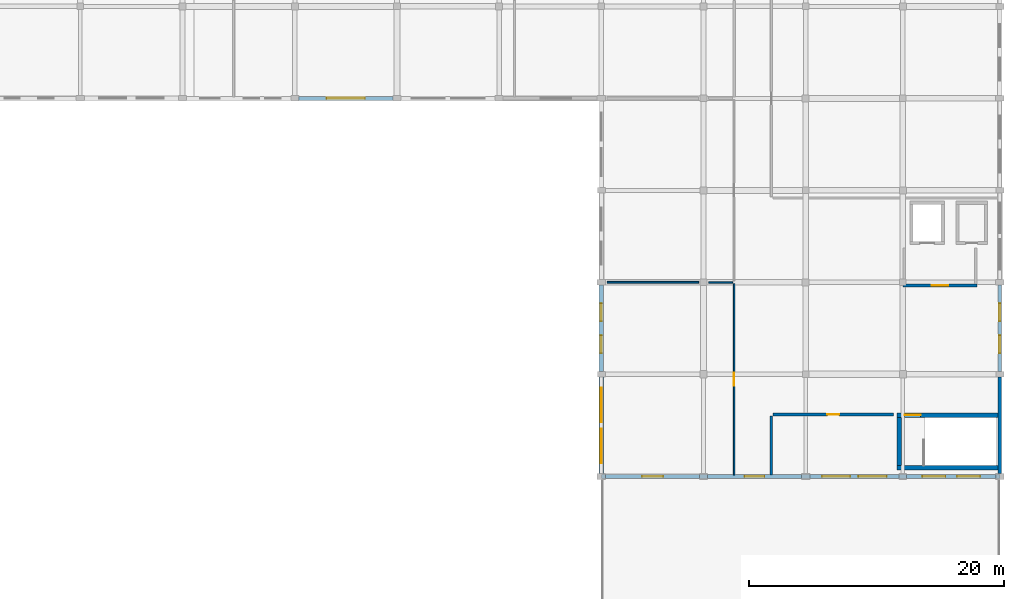
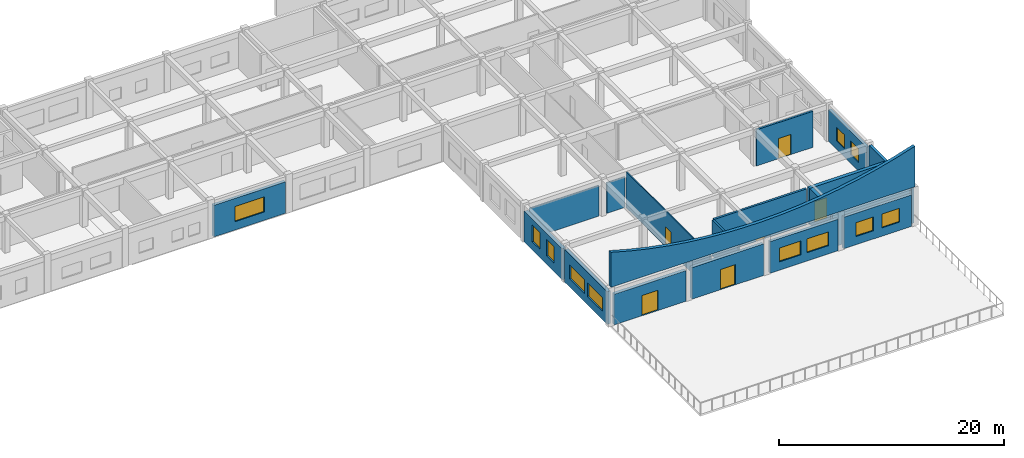
# One storey, part 5 of 10: 19 walls, 11 windows, 6 doors, 17 openings.
"""IFC4 building model written with IfcOpenShell, lengths in metres."""

from ifc_helpers import new_model, si_unit, direction, frame, frame_2d, origin, place, context, subcontext, project, spatial, polyline, rectangle, outline, extrude, material, layer, layer_set, type_object, element, fill, save


model = new_model("IFC4")

# Units and contexts
model_context = context("Model", 3, precision=1e-05, world=origin(), true_north=direction((0.0, 1.0)))
body_context = subcontext(model_context, "Body", "Model", "MODEL_VIEW")
ifc_project = project(units=[si_unit("LENGTHUNIT", "METRE"), si_unit("AREAUNIT", "SQUARE_METRE"), si_unit("VOLUMEUNIT", "CUBIC_METRE"), si_unit("PLANEANGLEUNIT", "RADIAN"), si_unit("MASSUNIT", "GRAM", prefix="KILO")], contexts=[model_context])

# Site, building, storey
site_placement = place(None, origin())
site = spatial("IfcSite", under=ifc_project, at=site_placement, CompositionType="ELEMENT")
building_placement = place(site_placement, origin())
building = spatial("IfcBuilding", under=site, at=building_placement, Name="Kharva Crest Polytechnic", CompositionType="ELEMENT")
storey_placement = place(building_placement, frame((0.0, 0.0, 25.800048828125)))
storey = spatial("IfcBuildingStorey", under=building, at=storey_placement, Name="L06", CompositionType="ELEMENT", Elevation=25.800048828125)

# Wall
ifc_material_1 = material(Name="Concrete C40/50", Category="concrete")
ifc_layer_1 = layer(ifc_material_1, 0.35009765625, Name="Concrete C40/50")
ifc_layer_set_1 = layer_set([ifc_layer_1], Name="Concrete C40/50")
wall_type_1 = type_object("IfcWallType", Name="WL-CORE-CW1-350", PredefinedType="SHEAR", material=ifc_layer_set_1)
wall_1_placement = place(storey_placement, frame((175.949951171875, 71.4951171875, 0.0), z_axis=(0.0, 0.0, 1.0), x_axis=(1.0, 0.0, 0.0)))
element("IfcWall", 1, at=wall_1_placement, inside=storey, type_object=wall_type_1, Name="L06 East Crest Firefighting Core C5 South Shear Wall", PredefinedType="SHEAR", context=body_context, shape_type="SweptSolid", body=[
    extrude(rectangle(XDim=8.10009765625, YDim=0.35009765625, at=frame_2d((4.050048828125, 0.0))), origin(), (0.0, 0.0, 1.0), 3.919921875),
])

# Wall, opening, door
wall_2_placement = place(storey_placement, frame((175.949951171875, 75.60498046875, 0.0), z_axis=(0.0, 0.0, 1.0), x_axis=(1.0, 0.0, 0.0)))
wall_2 = element("IfcWall", 2, at=wall_2_placement, inside=storey, type_object=wall_type_1, Name="L06 East Crest Firefighting Core C5 North Shear Wall", PredefinedType="SHEAR", context=body_context, shape_type="SweptSolid", body=[
    extrude(rectangle(XDim=8.10009765625, YDim=0.35009765625, at=frame_2d((4.050048828125, 0.0))), origin(), (0.0, 0.0, 1.0), 3.919921875),
])
opening_1_placement = place(wall_2_placement, frame((0.60009765625, 0.0, 0.0)))
opening_1 = element("IfcOpeningElement", 3, at=opening_1_placement, cuts=wall_2, Name="Opening FD1B", PredefinedType="OPENING", context=body_context, shape_type="SweptSolid", body=[
    extrude(rectangle(XDim=1.25, YDim=2.199951171875, at=frame_2d((0.625, 1.10009765625))), frame((0.0, 0.18505859375, 0.0), z_axis=(0.0, -1.0, 0.0), x_axis=(1.0, 0.0, 0.0)), (0.0, 0.0, 1.0), 0.3701171875),
])
ifc_material_2 = material(Name="Teak timber", Category="wood")
door_type_1 = type_object("IfcDoorType", Name="DR-STAIR-1250X2200", OperationType="NOTDEFINED", PredefinedType="DOOR", material=ifc_material_2)
door_1_placement = place(opening_1_placement, origin())
door_1 = element("IfcDoor", 4, at=door_1_placement, inside=storey, type_object=door_type_1, Name="L06 ST-05 Stair Door", OperationType="SINGLE_SWING_RIGHT", OverallHeight=2.199951171875, OverallWidth=1.25, PredefinedType="DOOR", context=body_context, shape_type="SweptSolid", body=[
    extrude(rectangle(XDim=1.25, YDim=2.199951171875, at=frame_2d((0.625, 1.10009765625))), frame((0.0, 0.02490234375, 0.0), z_axis=(0.0, -1.0, 0.0), x_axis=(1.0, 0.0, 0.0)), (0.0, 0.0, 1.0), 0.050048828125),
])
fill(opening_1, door_1)

# Wall
wall_3_placement = place(storey_placement, frame((176.125, 71.669921875, 0.0), z_axis=(0.0, 0.0, 1.0), x_axis=(0.0, 1.0, 0.0)))
element("IfcWall", 5, at=wall_3_placement, inside=storey, type_object=wall_type_1, Name="L06 East Crest Firefighting Core C5 West Shear Wall", PredefinedType="SHEAR", context=body_context, shape_type="SweptSolid", body=[
    extrude(rectangle(XDim=3.760009765625, YDim=0.35009765625, at=frame_2d((1.8798828125, 0.0))), origin(), (0.0, 0.0, 1.0), 3.919921875),
])

# Wall, openings, windows
ifc_material_3 = material(Name="Kiln brick masonry", Category="masonry")
ifc_layer_2 = layer(ifc_material_3, 0.260009765625, Name="Kiln brick masonry")
ifc_layer_set_2 = layer_set([ifc_layer_2], Name="Kiln brick masonry")
wall_type_2 = type_object("IfcWallType", Name="WL-EXT-BRK-260", PredefinedType="SOLIDWALL", material=ifc_layer_set_2)
wall_4_placement = place(storey_placement, frame((184.0, 79.02001953125, 0.0), z_axis=(0.0, 0.0, 1.0), x_axis=(0.0, 1.0, 0.0)))
wall_4 = element("IfcWall", 6, at=wall_4_placement, inside=storey, type_object=wall_type_2, Name="L06 Exterior Brick Wall 507", PredefinedType="SOLIDWALL", context=body_context, shape_type="SweptSolid", body=[
    extrude(rectangle(XDim=6.760009765625, YDim=0.260009765625, at=frame_2d((3.3798828125, 0.0))), origin(), (0.0, 0.0, 1.0), 3.454833984375),
])
opening_2_placement = place(wall_4_placement, frame((1.427001953125, 0.0, 0.89990234375)))
opening_2 = element("IfcOpeningElement", 7, at=opening_2_placement, cuts=wall_4, Name="Opening W15", PredefinedType="OPENING", context=body_context, shape_type="SweptSolid", body=[
    extrude(rectangle(XDim=1.39990234375, YDim=1.5, at=frame_2d((0.699951171875, 0.75))), frame((0.0, 0.139892578125, 0.0), z_axis=(0.0, -1.0, 0.0), x_axis=(1.0, 0.0, 0.0)), (0.0, 0.0, 1.0), 0.280029296875),
])
opening_3_placement = place(wall_4_placement, frame((3.93310546875, 0.0, 0.89990234375)))
opening_3 = element("IfcOpeningElement", 8, at=opening_3_placement, cuts=wall_4, Name="Opening W15", PredefinedType="OPENING", context=body_context, shape_type="SweptSolid", body=[
    extrude(rectangle(XDim=1.39990234375, YDim=1.5, at=frame_2d((0.699951171875, 0.75))), frame((0.0, 0.139892578125, 0.0), z_axis=(0.0, -1.0, 0.0), x_axis=(1.0, 0.0, 0.0)), (0.0, 0.0, 1.0), 0.280029296875),
])
ifc_material_4 = material(Name="Anodised aluminium", Category="aluminium")
window_type_1 = type_object("IfcWindowType", Name="WIN-ALU-1400X1500", PartitioningType="SINGLE_PANEL", PredefinedType="WINDOW", material=ifc_material_4)
window_1_placement = place(opening_2_placement, origin())
window_1 = element("IfcWindow", 9, at=window_1_placement, inside=storey, type_object=window_type_1, Name="L06 Exterior Window 728", OverallHeight=1.5, OverallWidth=1.39990234375, PartitioningType="SINGLE_PANEL", PredefinedType="WINDOW", context=body_context, shape_type="SweptSolid", body=[
    extrude(rectangle(XDim=1.39990234375, YDim=1.5, at=frame_2d((0.699951171875, 0.75))), frame((0.0, 0.030029296875, 0.0), z_axis=(0.0, -1.0, 0.0), x_axis=(1.0, 0.0, 0.0)), (0.0, 0.0, 1.0), 0.06005859375),
])
fill(opening_2, window_1)
window_2_placement = place(opening_3_placement, origin())
window_2 = element("IfcWindow", 10, at=window_2_placement, inside=storey, type_object=window_type_1, Name="L06 Exterior Window 729", OverallHeight=1.5, OverallWidth=1.39990234375, PartitioningType="SINGLE_PANEL", PredefinedType="WINDOW", context=body_context, shape_type="SweptSolid", body=[
    extrude(rectangle(XDim=1.39990234375, YDim=1.5, at=frame_2d((0.699951171875, 0.75))), frame((0.0, 0.030029296875, 0.0), z_axis=(0.0, -1.0, 0.0), x_axis=(1.0, 0.0, 0.0)), (0.0, 0.0, 1.0), 0.06005859375),
])
fill(opening_3, window_2)

# Wall
ifc_layer_3 = layer(ifc_material_3, 0.27490234375, Name="Kiln brick masonry")
ifc_layer_set_3 = layer_set([ifc_layer_3], Name="Kiln brick masonry")
wall_type_3 = type_object("IfcWallType", Name="WL-EXT-BRK-275", PredefinedType="SOLIDWALL", material=ifc_layer_set_3)
wall_5_placement = place(storey_placement, frame((184.0, 71.02001953125, 0.0), z_axis=(0.0, 0.0, 1.0), x_axis=(0.0, 1.0, 0.0)))
element("IfcWall", 11, at=wall_5_placement, inside=storey, type_object=wall_type_3, Name="L06 Exterior Brick Wall 506", PredefinedType="SOLIDWALL", context=body_context, shape_type="SweptSolid", body=[
    extrude(rectangle(XDim=7.56005859375, YDim=0.27490234375, at=frame_2d((3.780029296875, 0.0))), origin(), (0.0, 0.0, 1.0), 3.919921875),
])

# Wall, openings, windows
ifc_layer_4 = layer(ifc_material_3, 0.2900390625, Name="Kiln brick masonry")
ifc_layer_set_4 = layer_set([ifc_layer_4], Name="Kiln brick masonry")
wall_type_4 = type_object("IfcWallType", Name="WL-EXT-BRK-290", PredefinedType="SOLIDWALL", material=ifc_layer_set_4)
wall_6_placement = place(storey_placement, frame((176.705078125, 70.800048828125, 0.0), z_axis=(0.0, 0.0, 1.0), x_axis=(1.0, 0.0, 0.0)))
wall_6 = element("IfcWall", 12, at=wall_6_placement, inside=storey, type_object=wall_type_4, Name="L06 Exterior Brick Wall 505", PredefinedType="SOLIDWALL", context=body_context, shape_type="SweptSolid", body=[
    extrude(rectangle(XDim=6.974853515625, YDim=0.2900390625, at=frame_2d((3.4873046875, 0.0))), origin(), (0.0, 0.0, 1.0), 3.425048828125),
])
opening_4_placement = place(wall_6_placement, frame((1.23193359375, 0.0, 0.89990234375)))
opening_4 = element("IfcOpeningElement", 13, at=opening_4_placement, cuts=wall_6, Name="Opening W13", PredefinedType="OPENING", context=body_context, shape_type="SweptSolid", body=[
    extrude(rectangle(XDim=1.800048828125, YDim=1.5, at=frame_2d((0.89990234375, 0.75))), frame((0.0, 0.155029296875, 0.0), z_axis=(0.0, -1.0, 0.0), x_axis=(1.0, 0.0, 0.0)), (0.0, 0.0, 1.0), 0.31005859375),
])
opening_5_placement = place(wall_6_placement, frame((3.943115234375, 0.0, 0.89990234375)))
opening_5 = element("IfcOpeningElement", 14, at=opening_5_placement, cuts=wall_6, Name="Opening W13", PredefinedType="OPENING", context=body_context, shape_type="SweptSolid", body=[
    extrude(rectangle(XDim=1.800048828125, YDim=1.5, at=frame_2d((0.89990234375, 0.75))), frame((0.0, 0.155029296875, 0.0), z_axis=(0.0, -1.0, 0.0), x_axis=(1.0, 0.0, 0.0)), (0.0, 0.0, 1.0), 0.31005859375),
])
window_type_2 = type_object("IfcWindowType", Name="WIN-ALU-1800X1500", PartitioningType="SINGLE_PANEL", PredefinedType="WINDOW", material=ifc_material_4)
window_3_placement = place(opening_4_placement, origin())
window_3 = element("IfcWindow", 15, at=window_3_placement, inside=storey, type_object=window_type_2, Name="L06 Exterior Window 726", OverallHeight=1.5, OverallWidth=1.800048828125, PartitioningType="SINGLE_PANEL", PredefinedType="WINDOW", context=body_context, shape_type="SweptSolid", body=[
    extrude(rectangle(XDim=1.800048828125, YDim=1.5, at=frame_2d((0.89990234375, 0.75))), frame((0.0, 0.030029296875, 0.0), z_axis=(0.0, -1.0, 0.0), x_axis=(1.0, 0.0, 0.0)), (0.0, 0.0, 1.0), 0.06005859375),
])
fill(opening_4, window_3)
window_4_placement = place(opening_5_placement, origin())
window_4 = element("IfcWindow", 16, at=window_4_placement, inside=storey, type_object=window_type_2, Name="L06 Exterior Window 727", OverallHeight=1.5, OverallWidth=1.800048828125, PartitioningType="SINGLE_PANEL", PredefinedType="WINDOW", context=body_context, shape_type="SweptSolid", body=[
    extrude(rectangle(XDim=1.800048828125, YDim=1.5, at=frame_2d((0.89990234375, 0.75))), frame((0.0, 0.030029296875, 0.0), z_axis=(0.0, -1.0, 0.0), x_axis=(1.0, 0.0, 0.0)), (0.0, 0.0, 1.0), 0.06005859375),
])
fill(opening_5, window_4)

# Wall, opening, window
ifc_layer_5 = layer(ifc_material_3, 0.304931640625, Name="Kiln brick masonry")
ifc_layer_set_5 = layer_set([ifc_layer_5], Name="Kiln brick masonry")
wall_type_5 = type_object("IfcWallType", Name="WL-EXT-BRK-305", PredefinedType="SOLIDWALL", material=ifc_layer_set_5)
wall_7_placement = place(storey_placement, frame((129.10498046875, 100.39990234375, 0.0), z_axis=(0.0, 0.0, 1.0), x_axis=(1.0, 0.0, 0.0)))
wall_7 = element("IfcWall", 17, at=wall_7_placement, inside=storey, type_object=wall_type_5, Name="L06 Exterior Brick Wall 495", PredefinedType="SOLIDWALL", context=body_context, shape_type="SweptSolid", body=[
    extrude(rectangle(XDim=7.375, YDim=0.304931640625, at=frame_2d((3.6875, 0.0))), origin(), (0.0, 0.0, 1.0), 3.425048828125),
])
opening_6_placement = place(wall_7_placement, frame((2.18701171875, 0.0, 0.89990234375)))
opening_6 = element("IfcOpeningElement", 18, at=opening_6_placement, cuts=wall_7, Name="Opening W23", PredefinedType="OPENING", context=body_context, shape_type="SweptSolid", body=[
    extrude(rectangle(XDim=3.0, YDim=1.64990234375, at=frame_2d((1.5, 0.824951171875))), frame((0.0, 0.162353515625, 0.0), z_axis=(0.0, -1.0, 0.0), x_axis=(1.0, 0.0, 0.0)), (0.0, 0.0, 1.0), 0.324951171875),
])
window_type_3 = type_object("IfcWindowType", Name="WIN-ALU-3000X1650", PartitioningType="SINGLE_PANEL", PredefinedType="WINDOW", material=ifc_material_4)
window_5_placement = place(opening_6_placement, origin())
window_5 = element("IfcWindow", 19, at=window_5_placement, inside=storey, type_object=window_type_3, Name="L06 Exterior Window 712", OverallHeight=1.64990234375, OverallWidth=3.0, PartitioningType="SINGLE_PANEL", PredefinedType="WINDOW", context=body_context, shape_type="SweptSolid", body=[
    extrude(rectangle(XDim=3.0, YDim=1.64990234375, at=frame_2d((1.5, 0.824951171875))), frame((0.0, 0.030029296875, 0.0), z_axis=(0.0, -1.0, 0.0), x_axis=(1.0, 0.0, 0.0)), (0.0, 0.0, 1.0), 0.06005859375),
])
fill(opening_6, window_5)

# Wall, openings, windows
wall_8_placement = place(storey_placement, frame((169.1201171875, 70.800048828125, 0.0), z_axis=(0.0, 0.0, 1.0), x_axis=(1.0, 0.0, 0.0)))
wall_8 = element("IfcWall", 20, at=wall_8_placement, inside=storey, type_object=wall_type_5, Name="L06 Exterior Brick Wall 504", PredefinedType="SOLIDWALL", context=body_context, shape_type="SweptSolid", body=[
    extrude(rectangle(XDim=6.974853515625, YDim=0.304931640625, at=frame_2d((3.4873046875, 0.0))), origin(), (0.0, 0.0, 1.0), 3.425048828125),
])
opening_7_placement = place(wall_8_placement, frame((0.965087890625, 0.0, 0.89990234375)))
opening_7 = element("IfcOpeningElement", 21, at=opening_7_placement, cuts=wall_8, Name="Opening W11", PredefinedType="OPENING", context=body_context, shape_type="SweptSolid", body=[
    extrude(rectangle(XDim=2.199951171875, YDim=1.5, at=frame_2d((1.10009765625, 0.75))), frame((0.0, 0.162353515625, 0.0), z_axis=(0.0, -1.0, 0.0), x_axis=(1.0, 0.0, 0.0)), (0.0, 0.0, 1.0), 0.324951171875),
])
opening_8_placement = place(wall_8_placement, frame((3.81005859375, 0.0, 0.89990234375)))
opening_8 = element("IfcOpeningElement", 22, at=opening_8_placement, cuts=wall_8, Name="Opening W11", PredefinedType="OPENING", context=body_context, shape_type="SweptSolid", body=[
    extrude(rectangle(XDim=2.199951171875, YDim=1.5, at=frame_2d((1.10009765625, 0.75))), frame((0.0, 0.162353515625, 0.0), z_axis=(0.0, -1.0, 0.0), x_axis=(1.0, 0.0, 0.0)), (0.0, 0.0, 1.0), 0.324951171875),
])
window_type_4 = type_object("IfcWindowType", Name="WIN-ALU-2200X1500", PartitioningType="SINGLE_PANEL", PredefinedType="WINDOW", material=ifc_material_4)
window_6_placement = place(opening_7_placement, origin())
window_6 = element("IfcWindow", 23, at=window_6_placement, inside=storey, type_object=window_type_4, Name="L06 Exterior Window 724", OverallHeight=1.5, OverallWidth=2.199951171875, PartitioningType="SINGLE_PANEL", PredefinedType="WINDOW", context=body_context, shape_type="SweptSolid", body=[
    extrude(rectangle(XDim=2.199951171875, YDim=1.5, at=frame_2d((1.10009765625, 0.75))), frame((0.0, 0.030029296875, 0.0), z_axis=(0.0, -1.0, 0.0), x_axis=(1.0, 0.0, 0.0)), (0.0, 0.0, 1.0), 0.06005859375),
])
fill(opening_7, window_6)
window_7_placement = place(opening_8_placement, origin())
window_7 = element("IfcWindow", 24, at=window_7_placement, inside=storey, type_object=window_type_4, Name="L06 Exterior Window 725", OverallHeight=1.5, OverallWidth=2.199951171875, PartitioningType="SINGLE_PANEL", PredefinedType="WINDOW", context=body_context, shape_type="SweptSolid", body=[
    extrude(rectangle(XDim=2.199951171875, YDim=1.5, at=frame_2d((1.10009765625, 0.75))), frame((0.0, 0.030029296875, 0.0), z_axis=(0.0, -1.0, 0.0), x_axis=(1.0, 0.0, 0.0)), (0.0, 0.0, 1.0), 0.06005859375),
])
fill(opening_8, window_7)

# Wall, opening, door
ifc_layer_6 = layer(ifc_material_3, 0.320068359375, Name="Kiln brick masonry")
ifc_layer_set_6 = layer_set([ifc_layer_6], Name="Kiln brick masonry")
wall_type_6 = type_object("IfcWallType", Name="WL-EXT-BRK-320", PredefinedType="SOLIDWALL", material=ifc_layer_set_6)
wall_9_placement = place(storey_placement, frame((161.10498046875, 70.800048828125, 0.0), z_axis=(0.0, 0.0, 1.0), x_axis=(1.0, 0.0, 0.0)))
wall_9 = element("IfcWall", 25, at=wall_9_placement, inside=storey, type_object=wall_type_6, Name="L06 Exterior Brick Wall 503", PredefinedType="SOLIDWALL", context=body_context, shape_type="SweptSolid", body=[
    extrude(rectangle(XDim=7.375, YDim=0.320068359375, at=frame_2d((3.6875, 0.0))), origin(), (0.0, 0.0, 1.0), 3.425048828125),
])
opening_9_placement = place(wall_9_placement, frame((2.9130859375, 0.0, 0.0)))
opening_9 = element("IfcOpeningElement", 26, at=opening_9_placement, cuts=wall_9, Name="Opening ED8", PredefinedType="OPENING", context=body_context, shape_type="SweptSolid", body=[
    extrude(rectangle(XDim=1.550048828125, YDim=2.199951171875, at=frame_2d((0.77490234375, 1.10009765625))), frame((0.0, 0.169921875, 0.0), z_axis=(0.0, -1.0, 0.0), x_axis=(1.0, 0.0, 0.0)), (0.0, 0.0, 1.0), 0.340087890625),
])
door_type_2 = type_object("IfcDoorType", Name="DR-EXT-TER-1550X2200", OperationType="NOTDEFINED", PredefinedType="DOOR", material=ifc_material_4)
door_2_placement = place(opening_9_placement, frame((1.550048828125, 0.0, 0.0), z_axis=(0.0, 0.0, 1.0), x_axis=(-1.0, 0.0, 0.0)))
door_2 = element("IfcDoor", 27, at=door_2_placement, inside=storey, type_object=door_type_2, Name="L06 TER_E_L06 Access Door 61", OperationType="DOUBLE_DOOR_SINGLE_SWING", OverallHeight=2.199951171875, OverallWidth=1.550048828125, PredefinedType="DOOR", context=body_context, shape_type="SweptSolid", body=[
    extrude(rectangle(XDim=1.550048828125, YDim=2.199951171875, at=frame_2d((0.77490234375, 1.10009765625))), frame((0.0, 0.02490234375, 0.0), z_axis=(0.0, -1.0, 0.0), x_axis=(1.0, 0.0, 0.0)), (0.0, 0.0, 1.0), 0.050048828125),
])
fill(opening_9, door_2)

ifc_layer_7 = layer(ifc_material_3, 0.3349609375, Name="Kiln brick masonry")
ifc_layer_set_7 = layer_set([ifc_layer_7], Name="Kiln brick masonry")
wall_type_7 = type_object("IfcWallType", Name="WL-EXT-BRK-335", PredefinedType="SOLIDWALL", material=ifc_layer_set_7)
wall_10_placement = place(storey_placement, frame((153.1201171875, 70.800048828125, 0.0), z_axis=(0.0, 0.0, 1.0), x_axis=(1.0, 0.0, 0.0)))
wall_10 = element("IfcWall", 28, at=wall_10_placement, inside=storey, type_object=wall_type_7, Name="L06 Exterior Brick Wall 502", PredefinedType="SOLIDWALL", context=body_context, shape_type="SweptSolid", body=[
    extrude(rectangle(XDim=7.375, YDim=0.3349609375, at=frame_2d((3.6875, 0.0))), origin(), (0.0, 0.0, 1.0), 3.324951171875),
])
opening_10_placement = place(wall_10_placement, frame((2.862060546875, 0.0, 0.0)))
opening_10 = element("IfcOpeningElement", 29, at=opening_10_placement, cuts=wall_10, Name="Opening ED7", PredefinedType="OPENING", context=body_context, shape_type="SweptSolid", body=[
    extrude(rectangle(XDim=1.64990234375, YDim=2.199951171875, at=frame_2d((0.824951171875, 1.10009765625))), frame((0.0, 0.177490234375, 0.0), z_axis=(0.0, -1.0, 0.0), x_axis=(1.0, 0.0, 0.0)), (0.0, 0.0, 1.0), 0.35498046875),
])
door_type_3 = type_object("IfcDoorType", Name="DR-EXT-TER-1650X2200", OperationType="NOTDEFINED", PredefinedType="DOOR", material=ifc_material_4)
door_3_placement = place(opening_10_placement, frame((1.64990234375, 0.0, 0.0), z_axis=(0.0, 0.0, 1.0), x_axis=(-1.0, 0.0, 0.0)))
door_3 = element("IfcDoor", 30, at=door_3_placement, inside=storey, type_object=door_type_3, Name="L06 TER_E_L06 Access Door 60", OperationType="DOUBLE_DOOR_SINGLE_SWING", OverallHeight=2.199951171875, OverallWidth=1.64990234375, PredefinedType="DOOR", context=body_context, shape_type="SweptSolid", body=[
    extrude(rectangle(XDim=1.64990234375, YDim=2.199951171875, at=frame_2d((0.824951171875, 1.10009765625))), frame((0.0, 0.02490234375, 0.0), z_axis=(0.0, -1.0, 0.0), x_axis=(1.0, 0.0, 0.0)), (0.0, 0.0, 1.0), 0.050048828125),
])
fill(opening_10, door_3)

# Wall, openings, windows
ifc_layer_8 = layer(ifc_material_3, 0.35009765625, Name="Kiln brick masonry")
ifc_layer_set_8 = layer_set([ifc_layer_8], Name="Kiln brick masonry")
wall_type_8 = type_object("IfcWallType", Name="WL-EXT-BRK-350", PredefinedType="SOLIDWALL", material=ifc_layer_set_8)
wall_11_placement = place(storey_placement, frame((152.800048828125, 78.580078125, 0.0), z_axis=(0.0, 0.0, 1.0), x_axis=(0.0, -1.0, 0.0)))
wall_11 = element("IfcWall", 31, at=wall_11_placement, inside=storey, type_object=wall_type_8, Name="L06 Exterior Brick Wall 501", PredefinedType="SOLIDWALL", context=body_context, shape_type="SweptSolid", body=[
    extrude(rectangle(XDim=7.56005859375, YDim=0.35009765625, at=frame_2d((3.780029296875, 0.0))), origin(), (0.0, 0.0, 1.0), 3.534912109375),
])
opening_11_placement = place(wall_11_placement, frame((0.826904296875, 0.0, 0.89990234375)))
opening_11 = element("IfcOpeningElement", 32, at=opening_11_placement, cuts=wall_11, Name="Opening W09", PredefinedType="OPENING", context=body_context, shape_type="SweptSolid", body=[
    extrude(rectangle(XDim=2.699951171875, YDim=1.5, at=frame_2d((1.35009765625, 0.75))), frame((0.0, 0.18505859375, 0.0), z_axis=(0.0, -1.0, 0.0), x_axis=(1.0, 0.0, 0.0)), (0.0, 0.0, 1.0), 0.3701171875),
])
opening_12_placement = place(wall_11_placement, frame((4.032958984375, 0.0, 0.89990234375)))
opening_12 = element("IfcOpeningElement", 33, at=opening_12_placement, cuts=wall_11, Name="Opening W09", PredefinedType="OPENING", context=body_context, shape_type="SweptSolid", body=[
    extrude(rectangle(XDim=2.699951171875, YDim=1.5, at=frame_2d((1.35009765625, 0.75))), frame((0.0, 0.18505859375, 0.0), z_axis=(0.0, -1.0, 0.0), x_axis=(1.0, 0.0, 0.0)), (0.0, 0.0, 1.0), 0.3701171875),
])
window_type_5 = type_object("IfcWindowType", Name="WIN-ALU-2700X1500", PartitioningType="SINGLE_PANEL", PredefinedType="WINDOW", material=ifc_material_4)
window_8_placement = place(opening_11_placement, origin())
window_8 = element("IfcWindow", 34, at=window_8_placement, inside=storey, type_object=window_type_5, Name="L06 Exterior Window 722", OverallHeight=1.5, OverallWidth=2.699951171875, PartitioningType="SINGLE_PANEL", PredefinedType="WINDOW", context=body_context, shape_type="SweptSolid", body=[
    extrude(rectangle(XDim=2.699951171875, YDim=1.5, at=frame_2d((1.35009765625, 0.75))), frame((0.0, 0.030029296875, 0.0), z_axis=(0.0, -1.0, 0.0), x_axis=(1.0, 0.0, 0.0)), (0.0, 0.0, 1.0), 0.06005859375),
])
fill(opening_11, window_8)
window_9_placement = place(opening_12_placement, origin())
window_9 = element("IfcWindow", 35, at=window_9_placement, inside=storey, type_object=window_type_5, Name="L06 Exterior Window 723", OverallHeight=1.5, OverallWidth=2.699951171875, PartitioningType="SINGLE_PANEL", PredefinedType="WINDOW", context=body_context, shape_type="SweptSolid", body=[
    extrude(rectangle(XDim=2.699951171875, YDim=1.5, at=frame_2d((1.35009765625, 0.75))), frame((0.0, 0.030029296875, 0.0), z_axis=(0.0, -1.0, 0.0), x_axis=(1.0, 0.0, 0.0)), (0.0, 0.0, 1.0), 0.06005859375),
])
fill(opening_12, window_9)

ifc_layer_9 = layer(ifc_material_3, 0.364990234375, Name="Kiln brick masonry")
ifc_layer_set_9 = layer_set([ifc_layer_9], Name="Kiln brick masonry")
wall_type_9 = type_object("IfcWallType", Name="WL-EXT-BRK-365", PredefinedType="SOLIDWALL", material=ifc_layer_set_9)
wall_12_placement = place(storey_placement, frame((152.800048828125, 85.780029296875, 0.0), z_axis=(0.0, 0.0, 1.0), x_axis=(0.0, -1.0, 0.0)))
wall_12 = element("IfcWall", 36, at=wall_12_placement, inside=storey, type_object=wall_type_9, Name="L06 Exterior Brick Wall 500", PredefinedType="SOLIDWALL", context=body_context, shape_type="SweptSolid", body=[
    extrude(rectangle(XDim=6.760009765625, YDim=0.364990234375, at=frame_2d((3.3798828125, 0.0))), origin(), (0.0, 0.0, 1.0), 3.35498046875),
])
opening_13_placement = place(wall_12_placement, frame((1.427001953125, 0.0, 0.89990234375)))
opening_13 = element("IfcOpeningElement", 37, at=opening_13_placement, cuts=wall_12, Name="Opening W07", PredefinedType="OPENING", context=body_context, shape_type="SweptSolid", body=[
    extrude(rectangle(XDim=1.39990234375, YDim=1.800048828125, at=frame_2d((0.699951171875, 0.89990234375))), frame((0.0, 0.1923828125, 0.0), z_axis=(0.0, -1.0, 0.0), x_axis=(1.0, 0.0, 0.0)), (0.0, 0.0, 1.0), 0.385009765625),
])
opening_14_placement = place(wall_12_placement, frame((3.93310546875, 0.0, 0.89990234375)))
opening_14 = element("IfcOpeningElement", 38, at=opening_14_placement, cuts=wall_12, Name="Opening W07", PredefinedType="OPENING", context=body_context, shape_type="SweptSolid", body=[
    extrude(rectangle(XDim=1.39990234375, YDim=1.800048828125, at=frame_2d((0.699951171875, 0.89990234375))), frame((0.0, 0.1923828125, 0.0), z_axis=(0.0, -1.0, 0.0), x_axis=(1.0, 0.0, 0.0)), (0.0, 0.0, 1.0), 0.385009765625),
])
window_type_6 = type_object("IfcWindowType", Name="WIN-ALU-1400X1800", PartitioningType="SINGLE_PANEL", PredefinedType="WINDOW", material=ifc_material_4)
window_10_placement = place(opening_13_placement, origin())
window_10 = element("IfcWindow", 39, at=window_10_placement, inside=storey, type_object=window_type_6, Name="L06 Exterior Window 720", OverallHeight=1.800048828125, OverallWidth=1.39990234375, PartitioningType="SINGLE_PANEL", PredefinedType="WINDOW", context=body_context, shape_type="SweptSolid", body=[
    extrude(rectangle(XDim=1.39990234375, YDim=1.800048828125, at=frame_2d((0.699951171875, 0.89990234375))), frame((0.0, 0.030029296875, 0.0), z_axis=(0.0, -1.0, 0.0), x_axis=(1.0, 0.0, 0.0)), (0.0, 0.0, 1.0), 0.06005859375),
])
fill(opening_13, window_10)
window_11_placement = place(opening_14_placement, origin())
window_11 = element("IfcWindow", 40, at=window_11_placement, inside=storey, type_object=window_type_6, Name="L06 Exterior Window 721", OverallHeight=1.800048828125, OverallWidth=1.39990234375, PartitioningType="SINGLE_PANEL", PredefinedType="WINDOW", context=body_context, shape_type="SweptSolid", body=[
    extrude(rectangle(XDim=1.39990234375, YDim=1.800048828125, at=frame_2d((0.699951171875, 0.89990234375))), frame((0.0, 0.030029296875, 0.0), z_axis=(0.0, -1.0, 0.0), x_axis=(1.0, 0.0, 0.0)), (0.0, 0.0, 1.0), 0.06005859375),
])
fill(opening_14, window_11)

# Wall, opening, door
ifc_layer_10 = layer(ifc_material_3, 0.199951171875, Name="Kiln brick masonry")
ifc_layer_set_10 = layer_set([ifc_layer_10], Name="Kiln brick masonry")
wall_type_10 = type_object("IfcWallType", Name="WL-FIRE-FW1-200", PredefinedType="SOLIDWALL", material=ifc_layer_set_10)
wall_13_placement = place(storey_placement, frame((176.39990234375, 85.75, 0.0), z_axis=(0.0, 0.0, 1.0), x_axis=(1.0, 0.0, 0.0)))
wall_13 = element("IfcWall", 41, at=wall_13_placement, inside=storey, type_object=wall_type_10, Name="L06 Firefighting Lobby FL2 South Wall", PredefinedType="SOLIDWALL", context=body_context, shape_type="SweptSolid", body=[
    extrude(rectangle(XDim=5.800048828125, YDim=0.199951171875, at=frame_2d((2.89990234375, 0.0))), origin(), (0.0, 0.0, 1.0), 3.919921875),
])
opening_15_placement = place(wall_13_placement, frame((2.25, 0.0, 0.0)))
opening_15 = element("IfcOpeningElement", 42, at=opening_15_placement, cuts=wall_13, Name="Opening FD2", PredefinedType="OPENING", context=body_context, shape_type="SweptSolid", body=[
    extrude(rectangle(XDim=1.300048828125, YDim=2.199951171875, at=frame_2d((0.64990234375, 1.10009765625))), frame((0.0, 0.10986328125, 0.0), z_axis=(0.0, -1.0, 0.0), x_axis=(1.0, 0.0, 0.0)), (0.0, 0.0, 1.0), 0.219970703125),
])
door_type_4 = type_object("IfcDoorType", Name="DR-FFLOB-1300X2200", OperationType="NOTDEFINED", PredefinedType="DOOR", material=ifc_material_2)
door_4_placement = place(opening_15_placement, origin())
door_4 = element("IfcDoor", 43, at=door_4_placement, inside=storey, type_object=door_type_4, Name="L06 Firefighting Lobby FL2 Smoke Door", OperationType="SINGLE_SWING_LEFT", OverallHeight=2.199951171875, OverallWidth=1.300048828125, PredefinedType="DOOR", context=body_context, shape_type="SweptSolid", body=[
    extrude(rectangle(XDim=1.300048828125, YDim=2.199951171875, at=frame_2d((0.64990234375, 1.10009765625))), frame((0.0, 0.02490234375, 0.0), z_axis=(0.0, -1.0, 0.0), x_axis=(1.0, 0.0, 0.0)), (0.0, 0.0, 1.0), 0.050048828125),
])
fill(opening_15, door_4)

# Wall
ifc_layer_11 = layer(ifc_material_3, 0.330078125, Name="Kiln brick masonry")
ifc_layer_set_11 = layer_set([ifc_layer_11], Name="Kiln brick masonry")
wall_type_11 = type_object("IfcWallType", Name="WL-PAR-CREST-330", PredefinedType="PARAPET", material=ifc_layer_set_11)
wall_14_placement = place(storey_placement, frame((152.800048828125, 70.800048828125, 4.199951171875), z_axis=(0.0, 0.0, 1.0), x_axis=(1.0, 0.0, 0.0)))
element("IfcWall", 44, at=wall_14_placement, inside=storey, type_object=wall_type_11, Name="L06 Bowed Brick Gable Crest 3", PredefinedType="PARAPET", context=body_context, shape_type="SweptSolid", body=[
    extrude(outline(polyline([(0.0, 0.0), (31.199951171875, 0.0), (31.199951171875, 4.39990234375), (29.25, 3.78759765625), (27.300048828125, 3.2578125), (25.35009765625, 2.808349609375), (23.39990234375, 2.436767578125), (21.449951171875, 2.141845703125), (19.5, 1.921875), (17.550048828125, 1.77587890625), (15.60009765625, 1.70361328125), (13.64990234375, 1.704345703125), (11.699951171875, 1.7783203125), (9.75, 1.92578125), (7.800048828125, 2.1474609375), (5.85009765625, 2.444091796875), (3.89990234375, 2.8173828125), (1.949951171875, 3.2685546875), (0.0, 3.800048828125), (0.0, 0.0)])), frame((0.0, 0.1650390625, 0.0), z_axis=(0.0, -1.0, 0.0), x_axis=(1.0, 0.0, 0.0)), (0.0, 0.0, 1.0), 0.330078125),
])

# Wall, opening, door
ifc_layer_12 = layer(ifc_material_3, 0.110107421875, Name="Kiln brick masonry")
ifc_layer_set_12 = layer_set([ifc_layer_12], Name="Kiln brick masonry")
wall_type_12 = type_object("IfcWallType", Name="WL-PART-110", PredefinedType="PARTITIONING", material=ifc_layer_set_12)
wall_15_placement = place(storey_placement, frame((163.18994140625, 70.909912109375, 0.0), z_axis=(0.0, 0.0, 1.0), x_axis=(0.0, 1.0, 0.0)))
wall_15 = element("IfcWall", 45, at=wall_15_placement, inside=storey, type_object=wall_type_12, Name="L06 Interior Partition 407", PredefinedType="PARTITIONING", context=body_context, shape_type="SweptSolid", body=[
    extrude(rectangle(XDim=14.97998046875, YDim=0.110107421875, at=frame_2d((7.489990234375, 0.0))), origin(), (0.0, 0.0, 1.0), 3.89990234375),
])
opening_16_placement = place(wall_15_placement, frame((6.989990234375, 0.0, 0.0)))
opening_16 = element("IfcOpeningElement", 46, at=opening_16_placement, cuts=wall_15, Name="Opening ID12", PredefinedType="OPENING", context=body_context, shape_type="SweptSolid", body=[
    extrude(rectangle(XDim=1.0, YDim=2.14990234375, at=frame_2d((0.5, 1.074951171875))), frame((0.0, 0.06494140625, 0.0), z_axis=(0.0, -1.0, 0.0), x_axis=(1.0, 0.0, 0.0)), (0.0, 0.0, 1.0), 0.130126953125),
])
door_type_5 = type_object("IfcDoorType", Name="DR-OFF-1000X2150", OperationType="NOTDEFINED", PredefinedType="DOOR", material=ifc_material_2)
door_5_placement = place(opening_16_placement, origin())
door_5 = element("IfcDoor", 47, at=door_5_placement, inside=storey, type_object=door_type_5, Name="L06 Design School Departmental Office Door", OperationType="SINGLE_SWING_LEFT", OverallHeight=2.14990234375, OverallWidth=1.0, PredefinedType="DOOR", context=body_context, shape_type="SweptSolid", body=[
    extrude(rectangle(XDim=1.0, YDim=2.14990234375, at=frame_2d((0.5, 1.074951171875))), frame((0.0, 0.02490234375, 0.0), z_axis=(0.0, -1.0, 0.0), x_axis=(1.0, 0.0, 0.0)), (0.0, 0.0, 1.0), 0.050048828125),
])
fill(opening_16, door_5)

# Walls
ifc_layer_13 = layer(ifc_material_3, 0.1201171875, Name="Kiln brick masonry")
ifc_layer_set_13 = layer_set([ifc_layer_13], Name="Kiln brick masonry")
wall_type_13 = type_object("IfcWallType", Name="WL-PART-120", PredefinedType="PARTITIONING", material=ifc_layer_set_13)
wall_16_placement = place(storey_placement, frame((161.18994140625, 86.0, 0.0), z_axis=(0.0, 0.0, 1.0), x_axis=(1.0, 0.0, 0.0)))
element("IfcWall", 48, at=wall_16_placement, inside=storey, type_object=wall_type_13, Name="L06 Interior Partition 406", PredefinedType="PARTITIONING", context=body_context, shape_type="SweptSolid", body=[
    extrude(rectangle(XDim=1.89013671875, YDim=0.1201171875, at=frame_2d((0.945068359375, 0.0))), origin(), (0.0, 0.0, 1.0), 3.324951171875),
])
ifc_layer_14 = layer(ifc_material_3, 0.1298828125, Name="Kiln brick masonry")
ifc_layer_set_14 = layer_set([ifc_layer_14], Name="Kiln brick masonry")
wall_type_14 = type_object("IfcWallType", Name="WL-PART-130", PredefinedType="PARTITIONING", material=ifc_layer_set_14)
wall_17_placement = place(storey_placement, frame((153.2548828125, 86.0, 0.0), z_axis=(0.0, 0.0, 1.0), x_axis=(1.0, 0.0, 0.0)))
element("IfcWall", 49, at=wall_17_placement, inside=storey, type_object=wall_type_14, Name="L06 Interior Partition 405", PredefinedType="PARTITIONING", context=body_context, shape_type="SweptSolid", body=[
    extrude(rectangle(XDim=7.155029296875, YDim=0.1298828125, at=frame_2d((3.57763671875, 0.0))), origin(), (0.0, 0.0, 1.0), 3.31494140625),
])
ifc_layer_15 = layer(ifc_material_3, 0.205078125, Name="Kiln brick masonry")
ifc_layer_set_15 = layer_set([ifc_layer_15], Name="Kiln brick masonry")
wall_type_15 = type_object("IfcWallType", Name="WL-PART-205", PredefinedType="PARTITIONING", material=ifc_layer_set_15)
wall_18_placement = place(storey_placement, frame((166.110107421875, 70.909912109375, 0.0), z_axis=(0.0, 0.0, 1.0), x_axis=(0.0, 1.0, 0.0)))
element("IfcWall", 50, at=wall_18_placement, inside=storey, type_object=wall_type_15, Name="L06 Interior Partition 410", PredefinedType="PARTITIONING", context=body_context, shape_type="SweptSolid", body=[
    extrude(rectangle(XDim=4.6201171875, YDim=0.205078125, at=frame_2d((2.31005859375, 0.0))), origin(), (0.0, 0.0, 1.0), 3.89990234375),
])

# Wall, opening, door
ifc_layer_16 = layer(ifc_material_3, 0.215087890625, Name="Kiln brick masonry")
ifc_layer_set_16 = layer_set([ifc_layer_16], Name="Kiln brick masonry")
wall_type_16 = type_object("IfcWallType", Name="WL-PART-215", PredefinedType="PARTITIONING", material=ifc_layer_set_16)
wall_19_placement = place(storey_placement, frame((166.219970703125, 75.639892578125, 0.0), z_axis=(0.0, 0.0, 1.0), x_axis=(1.0, 0.0, 0.0)))
wall_19 = element("IfcWall", 51, at=wall_19_placement, inside=storey, type_object=wall_type_16, Name="L06 Interior Partition 409", PredefinedType="PARTITIONING", context=body_context, shape_type="SweptSolid", body=[
    extrude(rectangle(XDim=9.469970703125, YDim=0.215087890625, at=frame_2d((4.73486328125, 0.0))), origin(), (0.0, 0.0, 1.0), 3.89990234375),
])
opening_17_placement = place(wall_19_placement, frame((4.27490234375, 0.0, 0.0)))
opening_17 = element("IfcOpeningElement", 52, at=opening_17_placement, cuts=wall_19, Name="Opening ID16", PredefinedType="OPENING", context=body_context, shape_type="SweptSolid", body=[
    extrude(rectangle(XDim=0.919921875, YDim=2.10009765625, at=frame_2d((0.4599609375, 1.050048828125))), frame((0.0, 0.117431640625, 0.0), z_axis=(0.0, -1.0, 0.0), x_axis=(1.0, 0.0, 0.0)), (0.0, 0.0, 1.0), 0.235107421875),
])
door_type_6 = type_object("IfcDoorType", Name="DR-STR-920X2100", OperationType="NOTDEFINED", PredefinedType="DOOR", material=ifc_material_2)
door_6_placement = place(opening_17_placement, origin())
door_6 = element("IfcDoor", 53, at=door_6_placement, inside=storey, type_object=door_type_6, Name="L06 Ceramic Kiln Exhaust Plant Room Door", OperationType="SINGLE_SWING_LEFT", OverallHeight=2.10009765625, OverallWidth=0.919921875, PredefinedType="DOOR", context=body_context, shape_type="SweptSolid", body=[
    extrude(rectangle(XDim=0.919921875, YDim=2.10009765625, at=frame_2d((0.4599609375, 1.050048828125))), frame((0.0, 0.02490234375, 0.0), z_axis=(0.0, -1.0, 0.0), x_axis=(1.0, 0.0, 0.0)), (0.0, 0.0, 1.0), 0.050048828125),
])
fill(opening_17, door_6)

save(model, "model.ifc")
